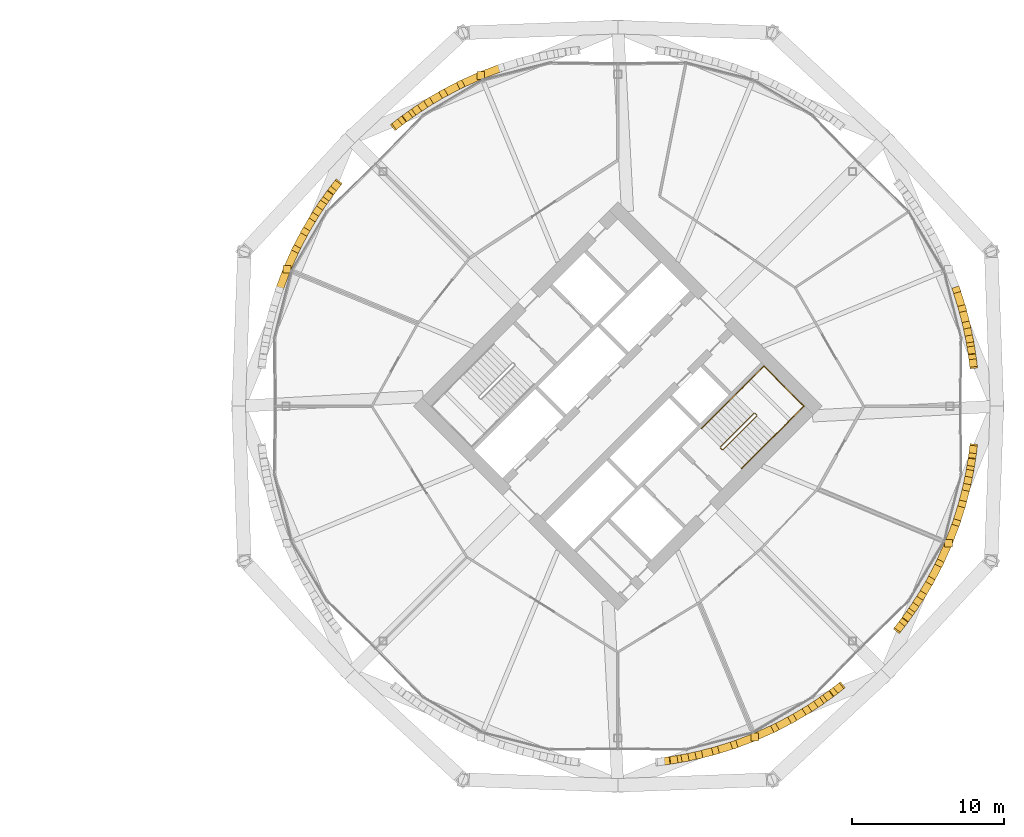
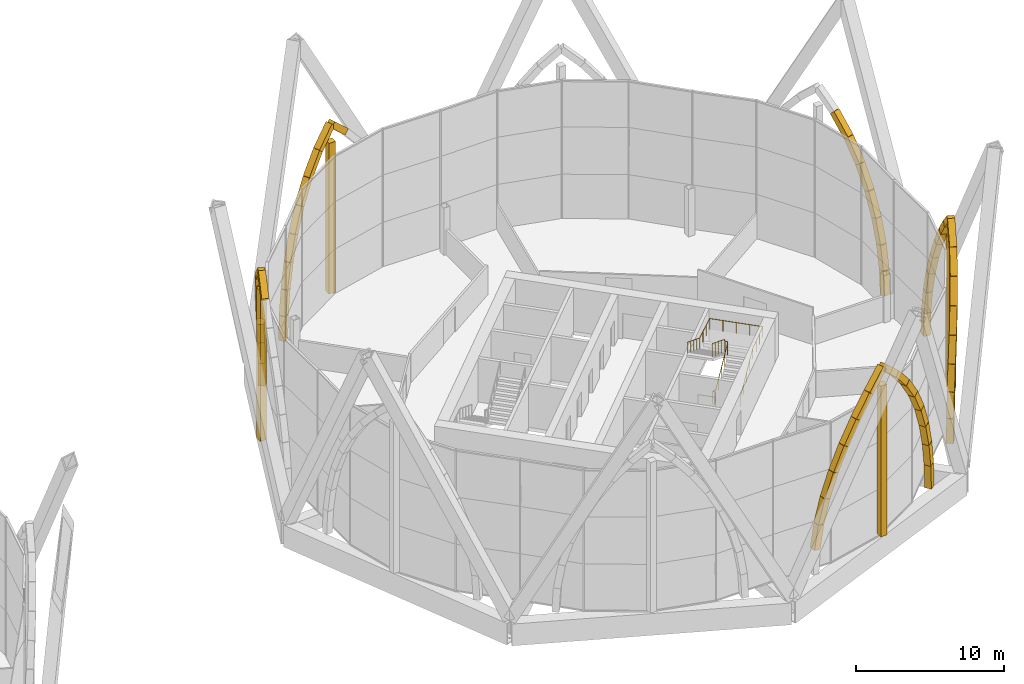
# One storey, part 36 of 37: 60 coverings, 2 railings.
"""IFC4 building model written with IfcOpenShell, lengths in metres."""

import ifcopenshell
import ifcopenshell.guid

model = None  # the IFC model being written
_history = None  # IfcOwnerHistory: only IFC2X3 demands one
_inside = {}  # id of a spatial element -> (the spatial element, [elements in it])
_under = {}  # id of a project, library or spatial element -> (it, [spatial elements below it])
_declared = {}  # id of a project -> (the project, [libraries it declares])
_typed = {}  # id of a type object -> (the type object, [elements of that type])
_made_of = {}  # id of a material, layer set ... -> (it, [elements and type objects made of it])


def new_model(schema):
    """Start an empty IFC model of exactly this schema.

    Asked for "IFC4X3", IfcOpenShell would pick the latest addendum, in which some entities
    have other attributes; the version numbers below select the first issue.
    IFC2X3 requires an IfcOwnerHistory on every rooted entity: one is made here for all.
    """
    global model, _history
    if schema == "IFC4X3":
        model = ifcopenshell.file(schema_version=(4, 3, 0, 0))
    else:
        model = ifcopenshell.file(schema=schema)
    _inside.clear()
    _under.clear()
    _declared.clear()
    _typed.clear()
    _made_of.clear()
    _history = None
    if model.schema == "IFC2X3":
        org = make("IfcOrganization", Name="unknown")
        user = make(
            "IfcPersonAndOrganization",
            ThePerson=make("IfcPerson", FamilyName="unknown"),
            TheOrganization=org,
        )
        app = make(
            "IfcApplication",
            ApplicationDeveloper=org,
            Version="unknown",
            ApplicationFullName="unknown",
            ApplicationIdentifier="unknown",
        )
        _history = make(
            "IfcOwnerHistory",
            OwningUser=user,
            OwningApplication=app,
            ChangeAction="ADDED",
            CreationDate=0,
        )
    return model


def make(cls, **values):
    """One entity of the class cls with the attributes given. An attribute that is None is left unset."""
    return model.create_entity(
        cls, **{name: value for name, value in values.items() if value is not None}
    )


def rooted(cls, **values):
    """An entity with a GlobalId (a new one), such as an element, a storey or a relation."""
    return make(cls, GlobalId=ifcopenshell.guid.new(), OwnerHistory=_history, **values)


def si_unit(unit_type, name, prefix=None):
    """IfcSIUnit, for example si_unit("LENGTHUNIT", "METRE", prefix="MILLI")."""
    return make("IfcSIUnit", UnitType=unit_type, Prefix=prefix, Name=name)


def assignment(units):
    """IfcUnitAssignment: the units of a project."""
    return None if units is None else make("IfcUnitAssignment", Units=units)


def point(xyz):
    """IfcCartesianPoint."""
    return None if xyz is None else make("IfcCartesianPoint", Coordinates=xyz)


def direction(xyz):
    """IfcDirection."""
    return None if xyz is None else make("IfcDirection", DirectionRatios=xyz)


def frame(location, z_axis=None, x_axis=None):
    """IfcAxis2Placement3D, a coordinate frame: its origin and axes. An axis left out is left unset."""
    return make(
        "IfcAxis2Placement3D",
        Location=point(location),
        Axis=direction(z_axis),
        RefDirection=direction(x_axis),
    )


def frame_2d(location, x_axis=None):
    """IfcAxis2Placement2D, a coordinate frame in the plane: its origin and x axis."""
    return make(
        "IfcAxis2Placement2D", Location=point(location), RefDirection=direction(x_axis)
    )


def origin():
    """The frame at (0, 0, 0) with its axes left unset."""
    return frame((0.0, 0.0, 0.0))


def origin_2d():
    """The frame at (0, 0) in the plane with its x axis left unset."""
    return frame_2d((0.0, 0.0))


def place(relative_to, where):
    """IfcLocalPlacement: puts the frame where relative to a parent placement (None: the world)."""
    return make(
        "IfcLocalPlacement", PlacementRelTo=relative_to, RelativePlacement=where
    )


def context(
    kind, dimensions, precision=None, world=None, true_north=None, identifier=None
):
    """IfcGeometricRepresentationContext, for example the 3D "Model" context."""
    return make(
        "IfcGeometricRepresentationContext",
        ContextIdentifier=identifier,
        ContextType=kind,
        CoordinateSpaceDimension=dimensions,
        Precision=precision,
        WorldCoordinateSystem=world,
        TrueNorth=true_north,
    )


def subcontext(parent, identifier, kind, view, scale=None):
    """IfcGeometricRepresentationSubContext, for example "Body" below "Model"."""
    return make(
        "IfcGeometricRepresentationSubContext",
        ContextIdentifier=identifier,
        ContextType=kind,
        ParentContext=parent,
        TargetScale=scale,
        TargetView=view,
    )


def project(units=None, contexts=None):
    """IfcProject with its units and contexts."""
    return rooted(
        "IfcProject",
        Name="project",
        RepresentationContexts=contexts,
        UnitsInContext=assignment(units),
    )


def spatial(cls, under=None, at=None, **own):
    """A site, building, storey or space (cls), placed at a placement, below another one or the project."""
    s = rooted(cls, ObjectPlacement=at, **own)
    if under is not None:
        _under.setdefault(under.id(), (under, []))[1].append(s)
    return s


def profile(cls, at=None, kind="AREA", **sizes):
    """A parametric profile (cls). Its sizes go by their IFC names, for example OverallWidth=200.0."""
    return make(cls, ProfileType=kind, Position=at, **sizes)


def rectangle(**sizes):
    """IfcRectangleProfileDef."""
    return profile("IfcRectangleProfileDef", **sizes)


def circle(**sizes):
    """IfcCircleProfileDef."""
    return profile("IfcCircleProfileDef", **sizes)


def extrude(swept, where, along, depth):
    """IfcExtrudedAreaSolid: the profile swept, set in the frame where, extruded along a direction by depth."""
    return make(
        "IfcExtrudedAreaSolid",
        SweptArea=swept,
        Position=where,
        ExtrudedDirection=direction(along),
        Depth=depth,
    )


def shape(context_of_items, identifier, shape_type, items):
    """IfcShapeRepresentation: the items that make up one representation, for example the "Body"."""
    return make(
        "IfcShapeRepresentation",
        ContextOfItems=context_of_items,
        RepresentationIdentifier=identifier,
        RepresentationType=shape_type,
        Items=items,
    )


def material(Name=None, Category=None):
    """IfcMaterial."""
    return make("IfcMaterial", Name=Name, Category=Category)


def material_profile(
    of_material, cross_section, Name=None, Category=None, Priority=None
):
    """IfcMaterialProfile: a cross section and its material."""
    return make(
        "IfcMaterialProfile",
        Name=Name,
        Material=of_material,
        Profile=cross_section,
        Priority=Priority,
        Category=Category,
    )


def profile_set(profiles, Name=None, composite=None):
    """IfcMaterialProfileSet."""
    return make(
        "IfcMaterialProfileSet",
        Name=Name,
        MaterialProfiles=profiles,
        CompositeProfile=composite,
    )


def made_of(thing, what):
    """Note that an element or type object is made of a material, layer set ...; save() writes the relation."""
    if what is not None:
        _made_of.setdefault(what.id(), (what, []))[1].append(thing)
    return thing


def type_object(cls, material=None, **own):
    """A type object (cls), such as IfcWallType, which elements share."""
    return made_of(rooted(cls, **own), material)


def element(
    cls,
    number,
    at=None,
    inside=None,
    cuts=None,
    type_object=None,
    material=None,
    context=None,
    identifier="Body",
    shape_type=None,
    held_by="IfcProductDefinitionShape",
    body=None,
    shapes=None,
    **own,
):
    """One element of the class cls, such as IfcWall. Its Tag is "e" and its number.

    at: its placement. inside: the storey or other place that contains it. cuts: it is an
    opening in that element (IfcRelVoidsElement). A single representation is given by context,
    identifier, shape_type and body (its items); several are given by shapes. held_by: the class
    of the entity that holds the representations. save() writes the other relations.
    """
    e = rooted(cls, Tag="e%d" % number, ObjectPlacement=at, **own)
    if body is not None:
        shapes = [shape(context, identifier, shape_type, body)]
    if shapes is not None:
        e.Representation = make(held_by, Representations=shapes)
    if inside is not None:
        _inside.setdefault(inside.id(), (inside, []))[1].append(e)
    if cuts is not None:
        rooted(
            "IfcRelVoidsElement", RelatingBuildingElement=cuts, RelatedOpeningElement=e
        )
    if type_object is not None:
        _typed.setdefault(type_object.id(), (type_object, []))[1].append(e)
    return made_of(e, material)


def aggregate(whole, parts):
    """IfcRelAggregates: a whole, such as a stair, and the parts it consists of."""
    return rooted("IfcRelAggregates", RelatingObject=whole, RelatedObjects=parts)


def save(model, path):
    """Write the relations noted so far, then the file.

    IfcRelAggregates (storeys below a building ...), IfcRelContainedInSpatialStructure (elements
    in a storey), IfcRelDefinesByType, IfcRelAssociatesMaterial and IfcRelDeclares: one each for
    every whole, place, type object, material and project.
    """
    for whole, parts in _under.values():
        aggregate(whole, parts)
    for where, things in _inside.values():
        rooted(
            "IfcRelContainedInSpatialStructure",
            RelatedElements=things,
            RelatingStructure=where,
        )
    for kind, things in _typed.values():
        rooted("IfcRelDefinesByType", RelatedObjects=things, RelatingType=kind)
    for what, things in _made_of.values():
        rooted("IfcRelAssociatesMaterial", RelatedObjects=things, RelatingMaterial=what)
    for by, libraries in _declared.values():
        rooted("IfcRelDeclares", RelatingContext=by, RelatedDefinitions=libraries)
    model.write(path)


model = new_model("IFC4")

# Units and contexts
model_context = context("Model", 3, precision=1e-05, world=origin(), true_north=direction((0.0, 1.0)))
body_context = subcontext(model_context, "Body", "Model", "MODEL_VIEW")
ifc_project = project(units=[si_unit("LENGTHUNIT", "METRE"), si_unit("AREAUNIT", "SQUARE_METRE"), si_unit("VOLUMEUNIT", "CUBIC_METRE"), si_unit("PLANEANGLEUNIT", "RADIAN"), si_unit("MASSUNIT", "GRAM", prefix="KILO")], contexts=[model_context])

# Site, building, storey
site_placement = place(None, origin())
site = spatial("IfcSite", under=ifc_project, at=site_placement, CompositionType="ELEMENT")
building_placement = place(site_placement, origin())
building = spatial("IfcBuilding", under=site, at=building_placement, Name="Ogive Gate Towers", CompositionType="ELEMENT")
storey_placement = place(building_placement, frame((0.0, 0.0, 32.39990234375)))
storey = spatial("IfcBuildingStorey", under=building, at=storey_placement, Name="L06", CompositionType="ELEMENT", Elevation=32.39990234375)

# Coverings
ifc_material_1 = material(Name="Cast stone", Category="masonry")
ifc_material_profile = material_profile(ifc_material_1, rectangle(XDim=0.5, YDim=0.5, at=origin_2d()), Name="500 x 500 cast stone")
ifc_profile_set = profile_set([ifc_material_profile], Name="Cast stone")
covering_type = type_object("IfcCoveringType", Name="Portal rib 500 x 500", PredefinedType="CLADDING", material=ifc_profile_set)
covering_1_placement = place(storey_placement, frame((59.362060546875, 2.73046875, 0.0), z_axis=(-0.006554413954, 0.054414002638, 0.998496948405), x_axis=(-0.992823353566, -0.11959008577, 0.0)))
element("IfcCovering", 1, at=covering_1_placement, inside=storey, type_object=covering_type, Name="Portal rib", PredefinedType="CLADDING", context=body_context, shape_type="SweptSolid", body=[
    extrude(rectangle(XDim=0.5, YDim=0.5, at=origin_2d()), origin(), (0.0, 0.0, 1.0), 1.97412109375),
])
covering_2_placement = place(storey_placement, frame((59.34912109375, 2.837890625, 1.97119140625), z_axis=(-0.020781093371, 0.162537837441, 0.98648345022), x_axis=(-0.991925551192, -0.126821531659, 0.0)))
element("IfcCovering", 2, at=covering_2_placement, inside=storey, type_object=covering_type, Name="Portal rib", PredefinedType="CLADDING", context=body_context, shape_type="SweptSolid", body=[
    extrude(rectangle(XDim=0.5, YDim=0.5, at=origin_2d()), origin(), (0.0, 0.0, 1.0), 1.9736328125),
])
covering_3_placement = place(storey_placement, frame((59.30810546875, 3.15869140625, 3.918212890625), z_axis=(-0.039572894123, 0.267982692392, 0.962610649551), x_axis=(-0.989271984598, -0.146085387666, 0.0)))
element("IfcCovering", 3, at=covering_3_placement, inside=storey, type_object=covering_type, Name="Portal rib", PredefinedType="CLADDING", context=body_context, shape_type="SweptSolid", body=[
    extrude(rectangle(XDim=0.5, YDim=0.5, at=origin_2d()), origin(), (0.0, 0.0, 1.0), 1.97412109375),
])
for number, where, z_axis, x_axis, name in (
    (4, (59.22998046875, 3.687744140625, 5.818603515625), (-0.064444008374, 0.368975963491, 0.927202085929), (-0.98508788793, -0.172051890584, 0.0), "Portal rib"),
    (5, (59.102783203125, 4.416015625, 7.648681640625), (-0.09820777756, 0.463703977422, 0.880530438855), (-0.978299886557, -0.2071939477, 0.0), "Portal rib"),
    (6, (58.908935546875, 5.331298828125, 9.38671875), (-0.141737011266, 0.549385518361, 0.823459878714), (-0.968294335016, -0.249812090934, 0.0), "Portal rib"),
):
    element("IfcCovering", number, at=place(storey_placement, frame(where, z_axis=z_axis, x_axis=x_axis)), inside=storey, type_object=covering_type, Name=name, PredefinedType="CLADDING", context=body_context, shape_type="SweptSolid", body=[
        extrude(rectangle(XDim=0.5, YDim=0.5, at=origin_2d()), origin(), (0.0, 0.0, 1.0), 1.973876953125),
    ])
covering_4_placement = place(storey_placement, frame((58.629150390625, 6.415771484375, 11.01220703125), z_axis=(-0.19568790465, 0.624296368375, 0.756280561966), x_axis=(-0.954220576265, -0.299103814474, 0.0)))
element("IfcCovering", 7, at=covering_4_placement, inside=storey, type_object=covering_type, Name="Portal rib", PredefinedType="CLADDING", context=body_context, shape_type="SweptSolid", body=[
    extrude(rectangle(XDim=0.5, YDim=0.5, at=origin_2d()), origin(), (0.0, 0.0, 1.0), 1.9736328125),
])
covering_5_placement = place(storey_placement, frame((21.411376953125, 18.4501953125, 0.0), z_axis=(0.043036604722, 0.033885142799, 0.99849869692), x_axis=(-0.61861891897, 0.785691181758, 0.0)))
element("IfcCovering", 8, at=covering_5_placement, inside=storey, type_object=covering_type, Name="Portal rib", PredefinedType="CLADDING", context=body_context, shape_type="SweptSolid", body=[
    extrude(rectangle(XDim=0.5, YDim=0.5, at=origin_2d()), origin(), (0.0, 0.0, 1.0), 1.97412109375),
])
covering_6_placement = place(storey_placement, frame((21.496337890625, 18.51708984375, 1.97119140625), z_axis=(0.129756467872, 0.100193268805, 0.98647076385), x_axis=(-0.611168297142, 0.791500671237, 0.0)))
element("IfcCovering", 9, at=covering_6_placement, inside=storey, type_object=covering_type, Name="Portal rib", PredefinedType="CLADDING", context=body_context, shape_type="SweptSolid", body=[
    extrude(rectangle(XDim=0.5, YDim=0.5, at=origin_2d()), origin(), (0.0, 0.0, 1.0), 1.9736328125),
])
covering_7_placement = place(storey_placement, frame((21.75244140625, 18.71484375, 3.918212890625), z_axis=(0.217289233117, 0.161513795362, 0.962651901301), x_axis=(-0.596559455946, 0.802568885219, 0.0)))
element("IfcCovering", 10, at=covering_7_placement, inside=storey, type_object=covering_type, Name="Portal rib", PredefinedType="CLADDING", context=body_context, shape_type="SweptSolid", body=[
    extrude(rectangle(XDim=0.5, YDim=0.5, at=origin_2d()), origin(), (0.0, 0.0, 1.0), 1.97412109375),
])
for number, where, z_axis, x_axis, name in (
    (11, (22.181396484375, 19.03369140625, 5.818603515625), (0.306618803595, 0.215338175498, 0.927153913574), (-0.574724506526, 0.818346956736, 0.0), "Portal rib"),
    (12, (22.78662109375, 19.458740234375, 7.648681640625), (0.397297750571, 0.258391967915, 0.880561234843), (-0.545208499274, 0.838300478539, 0.0), "Portal rib"),
    (13, (23.57080078125, 19.96875, 9.38671875), (0.488661436996, 0.288299116588, 0.82346440079), (-0.508134308768, 0.861277843819, 0.0), "Portal rib"),
):
    element("IfcCovering", number, at=place(storey_placement, frame(where, z_axis=z_axis, x_axis=x_axis)), inside=storey, type_object=covering_type, Name=name, PredefinedType="CLADDING", context=body_context, shape_type="SweptSolid", body=[
        extrude(rectangle(XDim=0.5, YDim=0.5, at=origin_2d()), origin(), (0.0, 0.0, 1.0), 1.973876953125),
    ])
covering_8_placement = place(storey_placement, frame((24.535400390625, 20.537841796875, 11.01220703125), z_axis=(0.57978541975, 0.303066839852, 0.75630639137), x_axis=(-0.463250834246, 0.886227208209, 0.0)))
element("IfcCovering", 14, at=covering_8_placement, inside=storey, type_object=covering_type, Name="Portal rib", PredefinedType="CLADDING", context=body_context, shape_type="SweptSolid", body=[
    extrude(rectangle(XDim=0.5, YDim=0.5, at=origin_2d()), origin(), (0.0, 0.0, 1.0), 1.9736328125),
])
for number, where, z_axis, x_axis, name in (
    (15, (25.6796875, 21.135986328125, 12.5048828125), (0.668283369737, 0.301302663091, 0.680157366312), (-0.411017027046, 0.911627667131, 0.0), "Portal rib"),
    (16, (28.35205078125, 22.242919921875, 12.5048828125), (-0.685599887448, -0.259496403368, 0.680157636853), (0.353987832928, -0.935250027607, 0.0), "Portal rib"),
):
    element("IfcCovering", number, at=place(storey_placement, frame(where, z_axis=z_axis, x_axis=x_axis)), inside=storey, type_object=covering_type, Name=name, PredefinedType="CLADDING", context=body_context, shape_type="SweptSolid", body=[
        extrude(rectangle(XDim=0.5, YDim=0.5, at=origin_2d()), origin(), (0.0, 0.0, 1.0), 1.973876953125),
    ])
covering_9_placement = place(storey_placement, frame((26.998779296875, 21.730712890625, 0.0), z_axis=(0.0, 0.0, 1.0), x_axis=(1.0, 0.0, 0.0)))
element("IfcCovering", 17, at=covering_9_placement, inside=storey, type_object=covering_type, Name="Portal mullion", PredefinedType="CLADDING", context=body_context, shape_type="SweptSolid", body=[
    extrude(rectangle(XDim=0.5, YDim=0.5, at=origin_2d()), origin(), (0.0, 0.0, 1.0), 12.447509765625),
])
covering_10_placement = place(storey_placement, frame((13.757080078125, 7.64794921875, 12.5048828125), z_axis=(0.259496403368, 0.685599887448, 0.680157636853), x_axis=(-0.935250027607, 0.353987832928, 0.0)))
element("IfcCovering", 18, at=covering_10_placement, inside=storey, type_object=covering_type, Name="Portal rib", PredefinedType="CLADDING", context=body_context, shape_type="SweptSolid", body=[
    extrude(rectangle(XDim=0.5, YDim=0.5, at=origin_2d()), origin(), (0.0, 0.0, 1.0), 1.973876953125),
])
covering_11_placement = place(storey_placement, frame((17.5498046875, 14.588623046875, 0.0), z_axis=(-0.033885142799, -0.043036604722, 0.99849869692), x_axis=(0.785691181758, -0.61861891897, 0.0)))
element("IfcCovering", 19, at=covering_11_placement, inside=storey, type_object=covering_type, Name="Portal rib", PredefinedType="CLADDING", context=body_context, shape_type="SweptSolid", body=[
    extrude(rectangle(XDim=0.5, YDim=0.5, at=origin_2d()), origin(), (0.0, 0.0, 1.0), 1.97412109375),
])
covering_12_placement = place(storey_placement, frame((17.48291015625, 14.503662109375, 1.97119140625), z_axis=(-0.100193268805, -0.129756467872, 0.98647076385), x_axis=(0.791500671237, -0.611168297142, 0.0)))
element("IfcCovering", 20, at=covering_12_placement, inside=storey, type_object=covering_type, Name="Portal rib", PredefinedType="CLADDING", context=body_context, shape_type="SweptSolid", body=[
    extrude(rectangle(XDim=0.5, YDim=0.5, at=origin_2d()), origin(), (0.0, 0.0, 1.0), 1.9736328125),
])
covering_13_placement = place(storey_placement, frame((17.28515625, 14.24755859375, 3.918212890625), z_axis=(-0.161513795362, -0.217289233117, 0.962651901301), x_axis=(0.802568885219, -0.596559455946, 0.0)))
element("IfcCovering", 21, at=covering_13_placement, inside=storey, type_object=covering_type, Name="Portal rib", PredefinedType="CLADDING", context=body_context, shape_type="SweptSolid", body=[
    extrude(rectangle(XDim=0.5, YDim=0.5, at=origin_2d()), origin(), (0.0, 0.0, 1.0), 1.97412109375),
])
for number, where, z_axis, x_axis, name in (
    (22, (16.96630859375, 13.818603515625, 5.818603515625), (-0.215338175498, -0.306618803595, 0.927153913574), (0.818346956736, -0.574724506526, 0.0), "Portal rib"),
    (23, (16.541259765625, 13.21337890625, 7.648681640625), (-0.258391967915, -0.397297750571, 0.880561234843), (0.838300478539, -0.545208499274, 0.0), "Portal rib"),
    (24, (16.03125, 12.42919921875, 9.38671875), (-0.288299116588, -0.488661436996, 0.82346440079), (0.861277843819, -0.508134308768, 0.0), "Portal rib"),
):
    element("IfcCovering", number, at=place(storey_placement, frame(where, z_axis=z_axis, x_axis=x_axis)), inside=storey, type_object=covering_type, Name=name, PredefinedType="CLADDING", context=body_context, shape_type="SweptSolid", body=[
        extrude(rectangle(XDim=0.5, YDim=0.5, at=origin_2d()), origin(), (0.0, 0.0, 1.0), 1.973876953125),
    ])
covering_14_placement = place(storey_placement, frame((15.462158203125, 11.464599609375, 11.01220703125), z_axis=(-0.303066839852, -0.57978541975, 0.75630639137), x_axis=(0.886227208209, -0.463250834246, 0.0)))
element("IfcCovering", 25, at=covering_14_placement, inside=storey, type_object=covering_type, Name="Portal rib", PredefinedType="CLADDING", context=body_context, shape_type="SweptSolid", body=[
    extrude(rectangle(XDim=0.5, YDim=0.5, at=origin_2d()), origin(), (0.0, 0.0, 1.0), 1.9736328125),
])
covering_15_placement = place(storey_placement, frame((14.864013671875, 10.3203125, 12.5048828125), z_axis=(-0.301302663091, -0.668283369737, 0.680157366312), x_axis=(0.911627667131, -0.411017027046, 0.0)))
element("IfcCovering", 26, at=covering_15_placement, inside=storey, type_object=covering_type, Name="Portal rib", PredefinedType="CLADDING", context=body_context, shape_type="SweptSolid", body=[
    extrude(rectangle(XDim=0.5, YDim=0.5, at=origin_2d()), origin(), (0.0, 0.0, 1.0), 1.973876953125),
])
covering_16_placement = place(storey_placement, frame((14.269287109375, 9.001220703125, 0.0), z_axis=(0.0, 0.0, 1.0), x_axis=(1.0, 0.0, 0.0)))
element("IfcCovering", 27, at=covering_16_placement, inside=storey, type_object=covering_type, Name="Portal mullion", PredefinedType="CLADDING", context=body_context, shape_type="SweptSolid", body=[
    extrude(rectangle(XDim=0.5, YDim=0.5, at=origin_2d()), origin(), (0.0, 0.0, 1.0), 12.447509765625),
])
covering_17_placement = place(storey_placement, frame((50.588623046875, -18.4501953125, 0.0), z_axis=(-0.043036604722, -0.033885142799, 0.99849869692), x_axis=(0.61861891897, -0.785691181758, 0.0)))
element("IfcCovering", 28, at=covering_17_placement, inside=storey, type_object=covering_type, Name="Portal rib", PredefinedType="CLADDING", context=body_context, shape_type="SweptSolid", body=[
    extrude(rectangle(XDim=0.5, YDim=0.5, at=origin_2d()), origin(), (0.0, 0.0, 1.0), 1.97412109375),
])
covering_18_placement = place(storey_placement, frame((50.503662109375, -18.51708984375, 1.97119140625), z_axis=(-0.129756467872, -0.100193268805, 0.98647076385), x_axis=(0.611168297142, -0.791500671237, 0.0)))
element("IfcCovering", 29, at=covering_18_placement, inside=storey, type_object=covering_type, Name="Portal rib", PredefinedType="CLADDING", context=body_context, shape_type="SweptSolid", body=[
    extrude(rectangle(XDim=0.5, YDim=0.5, at=origin_2d()), origin(), (0.0, 0.0, 1.0), 1.9736328125),
])
covering_19_placement = place(storey_placement, frame((50.24755859375, -18.71484375, 3.918212890625), z_axis=(-0.217289233117, -0.161513795362, 0.962651901301), x_axis=(0.596559455946, -0.802568885219, 0.0)))
element("IfcCovering", 30, at=covering_19_placement, inside=storey, type_object=covering_type, Name="Portal rib", PredefinedType="CLADDING", context=body_context, shape_type="SweptSolid", body=[
    extrude(rectangle(XDim=0.5, YDim=0.5, at=origin_2d()), origin(), (0.0, 0.0, 1.0), 1.97412109375),
])
for number, where, z_axis, x_axis, name in (
    (31, (49.818603515625, -19.03369140625, 5.818603515625), (-0.306618803595, -0.215338175498, 0.927153913574), (0.574724506526, -0.818346956736, 0.0), "Portal rib"),
    (32, (49.21337890625, -19.458740234375, 7.648681640625), (-0.397297750571, -0.258391967915, 0.880561234843), (0.545208499274, -0.838300478539, 0.0), "Portal rib"),
    (33, (48.42919921875, -19.96875, 9.38671875), (-0.488661436996, -0.288299116588, 0.82346440079), (0.508134308768, -0.861277843819, 0.0), "Portal rib"),
):
    element("IfcCovering", number, at=place(storey_placement, frame(where, z_axis=z_axis, x_axis=x_axis)), inside=storey, type_object=covering_type, Name=name, PredefinedType="CLADDING", context=body_context, shape_type="SweptSolid", body=[
        extrude(rectangle(XDim=0.5, YDim=0.5, at=origin_2d()), origin(), (0.0, 0.0, 1.0), 1.973876953125),
    ])
covering_20_placement = place(storey_placement, frame((47.464599609375, -20.537841796875, 11.01220703125), z_axis=(-0.57978541975, -0.303066839852, 0.75630639137), x_axis=(0.463250834246, -0.886227208209, 0.0)))
element("IfcCovering", 34, at=covering_20_placement, inside=storey, type_object=covering_type, Name="Portal rib", PredefinedType="CLADDING", context=body_context, shape_type="SweptSolid", body=[
    extrude(rectangle(XDim=0.5, YDim=0.5, at=origin_2d()), origin(), (0.0, 0.0, 1.0), 1.9736328125),
])
covering_21_placement = place(storey_placement, frame((46.3203125, -21.135986328125, 12.5048828125), z_axis=(-0.668283369737, -0.301302663091, 0.680157366312), x_axis=(0.411017027046, -0.911627667131, 0.0)))
element("IfcCovering", 35, at=covering_21_placement, inside=storey, type_object=covering_type, Name="Portal rib", PredefinedType="CLADDING", context=body_context, shape_type="SweptSolid", body=[
    extrude(rectangle(XDim=0.5, YDim=0.5, at=origin_2d()), origin(), (0.0, 0.0, 1.0), 1.973876953125),
])
covering_22_placement = place(storey_placement, frame((38.837890625, -23.34912109375, 1.97119140625), z_axis=(0.162537837441, 0.020781093371, 0.98648345022), x_axis=(-0.126821531659, 0.991925551192, 0.0)))
element("IfcCovering", 36, at=covering_22_placement, inside=storey, type_object=covering_type, Name="Portal rib", PredefinedType="CLADDING", context=body_context, shape_type="SweptSolid", body=[
    extrude(rectangle(XDim=0.5, YDim=0.5, at=origin_2d()), origin(), (0.0, 0.0, 1.0), 1.9736328125),
])
covering_23_placement = place(storey_placement, frame((39.15869140625, -23.30810546875, 3.918212890625), z_axis=(0.267982692392, 0.039572894123, 0.962610649551), x_axis=(-0.146085387666, 0.989271984598, 0.0)))
element("IfcCovering", 37, at=covering_23_placement, inside=storey, type_object=covering_type, Name="Portal rib", PredefinedType="CLADDING", context=body_context, shape_type="SweptSolid", body=[
    extrude(rectangle(XDim=0.5, YDim=0.5, at=origin_2d()), origin(), (0.0, 0.0, 1.0), 1.97412109375),
])
for number, where, z_axis, x_axis, name in (
    (38, (39.687744140625, -23.22998046875, 5.818603515625), (0.368975963491, 0.064444008374, 0.927202085929), (-0.172051890584, 0.98508788793, 0.0), "Portal rib"),
    (39, (40.416015625, -23.102783203125, 7.648681640625), (0.463703977422, 0.09820777756, 0.880530438855), (-0.2071939477, 0.978299886557, 0.0), "Portal rib"),
    (40, (41.331298828125, -22.908935546875, 9.38671875), (0.549385518361, 0.141737011266, 0.823459878714), (-0.249812090934, 0.968294335016, 0.0), "Portal rib"),
):
    element("IfcCovering", number, at=place(storey_placement, frame(where, z_axis=z_axis, x_axis=x_axis)), inside=storey, type_object=covering_type, Name=name, PredefinedType="CLADDING", context=body_context, shape_type="SweptSolid", body=[
        extrude(rectangle(XDim=0.5, YDim=0.5, at=origin_2d()), origin(), (0.0, 0.0, 1.0), 1.973876953125),
    ])
covering_24_placement = place(storey_placement, frame((42.415771484375, -22.629150390625, 11.01220703125), z_axis=(0.624296368375, 0.19568790465, 0.756280561966), x_axis=(-0.299103814474, 0.954220576265, 0.0)))
element("IfcCovering", 41, at=covering_24_placement, inside=storey, type_object=covering_type, Name="Portal rib", PredefinedType="CLADDING", context=body_context, shape_type="SweptSolid", body=[
    extrude(rectangle(XDim=0.5, YDim=0.5, at=origin_2d()), origin(), (0.0, 0.0, 1.0), 1.9736328125),
])
covering_25_placement = place(storey_placement, frame((43.64794921875, -22.242919921875, 12.5048828125), z_axis=(0.685599887448, 0.259496403368, 0.680157636853), x_axis=(-0.353987832928, 0.935250027607, 0.0)))
element("IfcCovering", 42, at=covering_25_placement, inside=storey, type_object=covering_type, Name="Portal rib", PredefinedType="CLADDING", context=body_context, shape_type="SweptSolid", body=[
    extrude(rectangle(XDim=0.5, YDim=0.5, at=origin_2d()), origin(), (0.0, 0.0, 1.0), 1.973876953125),
])
covering_26_placement = place(storey_placement, frame((45.001220703125, -21.730712890625, 0.0), z_axis=(0.0, 0.0, 1.0), x_axis=(1.0, 0.0, 0.0)))
element("IfcCovering", 43, at=covering_26_placement, inside=storey, type_object=covering_type, Name="Portal mullion", PredefinedType="CLADDING", context=body_context, shape_type="SweptSolid", body=[
    extrude(rectangle(XDim=0.5, YDim=0.5, at=origin_2d()), origin(), (0.0, 0.0, 1.0), 12.447509765625),
])
covering_27_placement = place(storey_placement, frame((59.362060546875, -2.73046875, 0.0), z_axis=(-0.006554413954, -0.054414002638, 0.998496948405), x_axis=(0.992823353566, -0.11959008577, 0.0)))
element("IfcCovering", 44, at=covering_27_placement, inside=storey, type_object=covering_type, Name="Portal rib", PredefinedType="CLADDING", context=body_context, shape_type="SweptSolid", body=[
    extrude(rectangle(XDim=0.5, YDim=0.5, at=origin_2d()), origin(), (0.0, 0.0, 1.0), 1.97412109375),
])
covering_28_placement = place(storey_placement, frame((59.34912109375, -2.837890625, 1.97119140625), z_axis=(-0.020781093371, -0.162537837441, 0.98648345022), x_axis=(0.991925551192, -0.126821531659, 0.0)))
element("IfcCovering", 45, at=covering_28_placement, inside=storey, type_object=covering_type, Name="Portal rib", PredefinedType="CLADDING", context=body_context, shape_type="SweptSolid", body=[
    extrude(rectangle(XDim=0.5, YDim=0.5, at=origin_2d()), origin(), (0.0, 0.0, 1.0), 1.9736328125),
])
covering_29_placement = place(storey_placement, frame((59.30810546875, -3.15869140625, 3.918212890625), z_axis=(-0.039572894123, -0.267982692392, 0.962610649551), x_axis=(0.989271984598, -0.146085387666, 0.0)))
element("IfcCovering", 46, at=covering_29_placement, inside=storey, type_object=covering_type, Name="Portal rib", PredefinedType="CLADDING", context=body_context, shape_type="SweptSolid", body=[
    extrude(rectangle(XDim=0.5, YDim=0.5, at=origin_2d()), origin(), (0.0, 0.0, 1.0), 1.97412109375),
])
for number, where, z_axis, x_axis, name in (
    (47, (59.22998046875, -3.687744140625, 5.818603515625), (-0.064444008374, -0.368975963491, 0.927202085929), (0.98508788793, -0.172051890584, 0.0), "Portal rib"),
    (48, (59.102783203125, -4.416015625, 7.648681640625), (-0.09820777756, -0.463703977422, 0.880530438855), (0.978299886557, -0.2071939477, 0.0), "Portal rib"),
    (49, (58.908935546875, -5.331298828125, 9.38671875), (-0.141737011266, -0.549385518361, 0.823459878714), (0.968294335016, -0.249812090934, 0.0), "Portal rib"),
):
    element("IfcCovering", number, at=place(storey_placement, frame(where, z_axis=z_axis, x_axis=x_axis)), inside=storey, type_object=covering_type, Name=name, PredefinedType="CLADDING", context=body_context, shape_type="SweptSolid", body=[
        extrude(rectangle(XDim=0.5, YDim=0.5, at=origin_2d()), origin(), (0.0, 0.0, 1.0), 1.973876953125),
    ])
covering_30_placement = place(storey_placement, frame((58.629150390625, -6.415771484375, 11.01220703125), z_axis=(-0.19568790465, -0.624296368375, 0.756280561966), x_axis=(0.954220576265, -0.299103814474, 0.0)))
element("IfcCovering", 50, at=covering_30_placement, inside=storey, type_object=covering_type, Name="Portal rib", PredefinedType="CLADDING", context=body_context, shape_type="SweptSolid", body=[
    extrude(rectangle(XDim=0.5, YDim=0.5, at=origin_2d()), origin(), (0.0, 0.0, 1.0), 1.9736328125),
])
covering_31_placement = place(storey_placement, frame((58.242919921875, -7.64794921875, 12.5048828125), z_axis=(-0.259496403368, -0.685599887448, 0.680157636853), x_axis=(0.935250027607, -0.353987832928, 0.0)))
element("IfcCovering", 51, at=covering_31_placement, inside=storey, type_object=covering_type, Name="Portal rib", PredefinedType="CLADDING", context=body_context, shape_type="SweptSolid", body=[
    extrude(rectangle(XDim=0.5, YDim=0.5, at=origin_2d()), origin(), (0.0, 0.0, 1.0), 1.973876953125),
])
covering_32_placement = place(storey_placement, frame((54.4501953125, -14.588623046875, 0.0), z_axis=(0.033885142799, 0.043036604722, 0.99849869692), x_axis=(-0.785691181758, 0.61861891897, 0.0)))
element("IfcCovering", 52, at=covering_32_placement, inside=storey, type_object=covering_type, Name="Portal rib", PredefinedType="CLADDING", context=body_context, shape_type="SweptSolid", body=[
    extrude(rectangle(XDim=0.5, YDim=0.5, at=origin_2d()), origin(), (0.0, 0.0, 1.0), 1.97412109375),
])
covering_33_placement = place(storey_placement, frame((54.51708984375, -14.503662109375, 1.97119140625), z_axis=(0.100193268805, 0.129756467872, 0.98647076385), x_axis=(-0.791500671237, 0.611168297142, 0.0)))
element("IfcCovering", 53, at=covering_33_placement, inside=storey, type_object=covering_type, Name="Portal rib", PredefinedType="CLADDING", context=body_context, shape_type="SweptSolid", body=[
    extrude(rectangle(XDim=0.5, YDim=0.5, at=origin_2d()), origin(), (0.0, 0.0, 1.0), 1.9736328125),
])
covering_34_placement = place(storey_placement, frame((54.71484375, -14.24755859375, 3.918212890625), z_axis=(0.161513795362, 0.217289233117, 0.962651901301), x_axis=(-0.802568885219, 0.596559455946, 0.0)))
element("IfcCovering", 54, at=covering_34_placement, inside=storey, type_object=covering_type, Name="Portal rib", PredefinedType="CLADDING", context=body_context, shape_type="SweptSolid", body=[
    extrude(rectangle(XDim=0.5, YDim=0.5, at=origin_2d()), origin(), (0.0, 0.0, 1.0), 1.97412109375),
])
for number, where, z_axis, x_axis, name in (
    (55, (55.03369140625, -13.818603515625, 5.818603515625), (0.215338175498, 0.306618803595, 0.927153913574), (-0.818346956736, 0.574724506526, 0.0), "Portal rib"),
    (56, (55.458740234375, -13.21337890625, 7.648681640625), (0.258391967915, 0.397297750571, 0.880561234843), (-0.838300478539, 0.545208499274, 0.0), "Portal rib"),
    (57, (55.96875, -12.42919921875, 9.38671875), (0.288299116588, 0.488661436996, 0.82346440079), (-0.861277843819, 0.508134308768, 0.0), "Portal rib"),
):
    element("IfcCovering", number, at=place(storey_placement, frame(where, z_axis=z_axis, x_axis=x_axis)), inside=storey, type_object=covering_type, Name=name, PredefinedType="CLADDING", context=body_context, shape_type="SweptSolid", body=[
        extrude(rectangle(XDim=0.5, YDim=0.5, at=origin_2d()), origin(), (0.0, 0.0, 1.0), 1.973876953125),
    ])
covering_35_placement = place(storey_placement, frame((56.537841796875, -11.464599609375, 11.01220703125), z_axis=(0.303066839852, 0.57978541975, 0.75630639137), x_axis=(-0.886227208209, 0.463250834246, 0.0)))
element("IfcCovering", 58, at=covering_35_placement, inside=storey, type_object=covering_type, Name="Portal rib", PredefinedType="CLADDING", context=body_context, shape_type="SweptSolid", body=[
    extrude(rectangle(XDim=0.5, YDim=0.5, at=origin_2d()), origin(), (0.0, 0.0, 1.0), 1.9736328125),
])
covering_36_placement = place(storey_placement, frame((57.135986328125, -10.3203125, 12.5048828125), z_axis=(0.301302663091, 0.668283369737, 0.680157366312), x_axis=(-0.911627667131, 0.411017027046, 0.0)))
element("IfcCovering", 59, at=covering_36_placement, inside=storey, type_object=covering_type, Name="Portal rib", PredefinedType="CLADDING", context=body_context, shape_type="SweptSolid", body=[
    extrude(rectangle(XDim=0.5, YDim=0.5, at=origin_2d()), origin(), (0.0, 0.0, 1.0), 1.973876953125),
])
covering_37_placement = place(storey_placement, frame((57.730712890625, -9.001220703125, 0.0), z_axis=(0.0, 0.0, 1.0), x_axis=(1.0, 0.0, 0.0)))
element("IfcCovering", 60, at=covering_37_placement, inside=storey, type_object=covering_type, Name="Portal mullion", PredefinedType="CLADDING", context=body_context, shape_type="SweptSolid", body=[
    extrude(rectangle(XDim=0.5, YDim=0.5, at=origin_2d()), origin(), (0.0, 0.0, 1.0), 12.447509765625),
])

# Railings
ifc_material_2 = material(Name="Stainless steel", Category="steel")
railing_type_1 = type_object("IfcRailingType", Name="Stair guard 1100", PredefinedType="GUARDRAIL", material=ifc_material_2)
railing_1_placement = place(storey_placement, frame((42.84130859375, -2.8603515625, 0.0)))
element("IfcRailing", 61, at=railing_1_placement, inside=storey, type_object=railing_type_1, Name="L06 ST2 stair guard 1", PredefinedType="GUARDRAIL", context=body_context, shape_type="SweptSolid", body=[
    extrude(circle(Radius=0.02392578125, at=origin_2d()), frame((0.0, 0.0, 1.076171875), z_axis=(-0.707106781187, 0.707106781187, 0.0), x_axis=(-0.707106781187, -0.707106781187, 0.0)), (0.0, 0.0, 1.0), 0.14501953125),
    extrude(circle(Radius=0.02392578125, at=origin_2d()), frame((-0.1025390625, 0.1025390625, 1.076171875), z_axis=(0.645182954318, -0.382195826253, 0.661562775443), x_axis=(0.509669330572, 0.860370369942, 0.0)), (0.0, 0.0, 1.0), 0.268310546875),
    extrude(circle(Radius=0.02392578125, at=origin_2d()), frame((0.070556640625, 0.0, 1.25341796875), z_axis=(0.61558473135, 0.61558473135, 0.49204763698), x_axis=(-0.707106781187, 0.707106781187, 0.0)), (0.0, 0.0, 1.0), 3.602783203125),
    extrude(circle(Radius=0.02392578125, at=origin_2d()), frame((2.288330078125, 2.2177734375, 3.0263671875), z_axis=(0.0, 1.0, 0.0), x_axis=(-1.0, 0.0, 0.0)), (0.0, 0.0, 1.0), 0.07080078125),
    extrude(circle(Radius=0.02392578125, at=origin_2d()), frame((2.288330078125, 2.28857421875, 3.0263671875), z_axis=(-0.707106781187, 0.707106781187, 0.0), x_axis=(-0.707106781187, -0.707106781187, 0.0)), (0.0, 0.0, 1.0), 0.14501953125),
    extrude(circle(Radius=0.02392578125, at=origin_2d()), frame((2.185791015625, 2.39111328125, 3.0263671875), z_axis=(-0.369845645421, 0.0, 0.929093213065), x_axis=(0.0, -1.0, 0.0)), (0.0, 0.0, 1.0), 0.190673828125),
    extrude(circle(Radius=0.02392578125, at=origin_2d()), frame((2.115234375, 2.39111328125, 3.20361328125), z_axis=(-0.61558473135, -0.61558473135, 0.49204763698), x_axis=(0.707106781187, -0.707106781187, 0.0)), (0.0, 0.0, 1.0), 3.602783203125),
    extrude(circle(Radius=0.02099609375, at=origin_2d()), origin(), (0.0, 0.0, 1.0), 1.052001953125),
    extrude(circle(Radius=0.02099609375, at=origin_2d()), frame((-0.1025390625, 0.1025390625, 0.0)), (0.0, 0.0, 1.0), 1.052001953125),
    extrude(circle(Radius=0.02099609375, at=origin_2d()), frame((0.070556640625, 0.0, 0.177490234375)), (0.0, 0.0, 1.0), 1.052001953125),
    extrude(circle(Radius=0.02099609375, at=origin_2d()), frame((0.625, 0.554443359375, 0.62060546875)), (0.0, 0.0, 1.0), 1.052001953125),
    extrude(circle(Radius=0.02099609375, at=origin_2d()), frame((1.179443359375, 1.10888671875, 1.06396484375)), (0.0, 0.0, 1.0), 1.052001953125),
    extrude(circle(Radius=0.02099609375, at=origin_2d()), frame((1.73388671875, 1.663330078125, 1.507080078125)), (0.0, 0.0, 1.0), 1.052001953125),
    extrude(circle(Radius=0.02099609375, at=origin_2d()), frame((2.288330078125, 2.2177734375, 1.9501953125)), (0.0, 0.0, 1.0), 1.052001953125),
    extrude(circle(Radius=0.02099609375, at=origin_2d()), frame((2.288330078125, 2.28857421875, 1.9501953125)), (0.0, 0.0, 1.0), 1.052001953125),
    extrude(circle(Radius=0.02099609375, at=origin_2d()), frame((2.185791015625, 2.39111328125, 1.9501953125)), (0.0, 0.0, 1.0), 1.052001953125),
    extrude(circle(Radius=0.02099609375, at=origin_2d()), frame((2.115234375, 2.39111328125, 2.12744140625)), (0.0, 0.0, 1.0), 1.052001953125),
    extrude(circle(Radius=0.02099609375, at=origin_2d()), frame((1.560791015625, 1.836669921875, 2.570556640625)), (0.0, 0.0, 1.0), 1.052001953125),
    extrude(circle(Radius=0.02099609375, at=origin_2d()), frame((1.00634765625, 1.2822265625, 3.013671875)), (0.0, 0.0, 1.0), 1.052001953125),
    extrude(circle(Radius=0.02099609375, at=origin_2d()), frame((0.451904296875, 0.727783203125, 3.45703125)), (0.0, 0.0, 1.0), 1.052001953125),
    extrude(circle(Radius=0.02099609375, at=origin_2d()), frame((-0.1025390625, 0.17333984375, 3.900146484375)), (0.0, 0.0, 1.0), 1.052001953125),
])
railing_type_2 = type_object("IfcRailingType", Name="Stair handrail 900", PredefinedType="HANDRAIL", material=ifc_material_2)
railing_2_placement = place(storey_placement, frame((44.142333984375, -4.090576171875, 0.177490234375)))
element("IfcRailing", 62, at=railing_2_placement, inside=storey, type_object=railing_type_2, Name="L06 ST2 stair handrail 1", PredefinedType="HANDRAIL", context=body_context, shape_type="SweptSolid", body=[
    extrude(circle(Radius=0.02392578125, at=origin_2d()), frame((0.0, 0.0, 0.8759765625), z_axis=(0.61558473135, 0.61558473135, 0.49204763698), x_axis=(-0.707106781187, 0.707106781187, 0.0)), (0.0, 0.0, 1.0), 3.602783203125),
    extrude(circle(Radius=0.02392578125, at=origin_2d()), frame((2.2177734375, 2.2177734375, 2.6484375), z_axis=(0.707106781187, 0.707106781187, 0.0), x_axis=(-0.707106781187, 0.707106781187, 0.0)), (0.0, 0.0, 1.0), 2.6484375),
    extrude(circle(Radius=0.02392578125, at=origin_2d()), frame((4.090576171875, 4.090576171875, 2.6484375), z_axis=(-0.707106781187, 0.707106781187, 0.0), x_axis=(-0.707106781187, -0.707106781187, 0.0)), (0.0, 0.0, 1.0), 3.72509765625),
    extrude(circle(Radius=0.02392578125, at=origin_2d()), frame((1.45654296875, 6.724609375, 2.6484375), z_axis=(-0.705482886452, -0.705574853978, 0.066768423356), x_axis=(0.70715286629, -0.70706069308, 0.0)), (0.0, 0.0, 1.0), 2.654541015625),
    extrude(circle(Radius=0.02392578125, at=origin_2d()), frame((-0.416259765625, 4.8515625, 2.82568359375), z_axis=(-0.615610411033, -0.615542642384, 0.4920681632), x_axis=(0.70706785752, -0.70714570271, 0.0)), (0.0, 0.0, 1.0), 3.6025390625),
    extrude(circle(Radius=0.02099609375, at=origin_2d()), origin(), (0.0, 0.0, 1.0), 0.851806640625),
    extrude(circle(Radius=0.02099609375, at=origin_2d()), frame((0.554443359375, 0.554443359375, 0.443115234375)), (0.0, 0.0, 1.0), 0.851806640625),
    extrude(circle(Radius=0.02099609375, at=origin_2d()), frame((1.10888671875, 1.10888671875, 0.88623046875)), (0.0, 0.0, 1.0), 0.851806640625),
    extrude(circle(Radius=0.02099609375, at=origin_2d()), frame((1.663330078125, 1.663330078125, 1.32958984375)), (0.0, 0.0, 1.0), 0.851806640625),
    extrude(circle(Radius=0.02099609375, at=origin_2d()), frame((2.2177734375, 2.2177734375, 1.772705078125)), (0.0, 0.0, 1.0), 0.851806640625),
    extrude(circle(Radius=0.02099609375, at=origin_2d()), frame((2.842041015625, 2.842041015625, 1.772705078125)), (0.0, 0.0, 1.0), 0.851806640625),
    extrude(circle(Radius=0.02099609375, at=origin_2d()), frame((3.46630859375, 3.46630859375, 1.772705078125)), (0.0, 0.0, 1.0), 0.851806640625),
    extrude(circle(Radius=0.02099609375, at=origin_2d()), frame((4.090576171875, 4.090576171875, 1.772705078125)), (0.0, 0.0, 1.0), 0.851806640625),
    extrude(circle(Radius=0.02099609375, at=origin_2d()), frame((3.43212890625, 4.7490234375, 1.772705078125)), (0.0, 0.0, 1.0), 0.851806640625),
    extrude(circle(Radius=0.02099609375, at=origin_2d()), frame((2.7734375, 5.40771484375, 1.772705078125)), (0.0, 0.0, 1.0), 0.851806640625),
    extrude(circle(Radius=0.02099609375, at=origin_2d()), frame((2.114990234375, 6.066162109375, 1.772705078125)), (0.0, 0.0, 1.0), 0.851806640625),
    extrude(circle(Radius=0.02099609375, at=origin_2d()), frame((1.45654296875, 6.724609375, 1.772705078125)), (0.0, 0.0, 1.0), 0.851806640625),
    extrude(circle(Radius=0.02099609375, at=origin_2d()), frame((0.832275390625, 6.100341796875, 1.831787109375)), (0.0, 0.0, 1.0), 0.851806640625),
    extrude(circle(Radius=0.02099609375, at=origin_2d()), frame((0.2080078125, 5.475830078125, 1.890869140625)), (0.0, 0.0, 1.0), 0.851806640625),
    extrude(circle(Radius=0.02099609375, at=origin_2d()), frame((-0.416259765625, 4.8515625, 1.949951171875)), (0.0, 0.0, 1.0), 0.851806640625),
    extrude(circle(Radius=0.02099609375, at=origin_2d()), frame((-0.970703125, 4.297119140625, 2.39306640625)), (0.0, 0.0, 1.0), 0.851806640625),
    extrude(circle(Radius=0.02099609375, at=origin_2d()), frame((-1.525146484375, 3.74267578125, 2.83642578125)), (0.0, 0.0, 1.0), 0.851806640625),
    extrude(circle(Radius=0.02099609375, at=origin_2d()), frame((-2.07958984375, 3.1884765625, 3.279541015625)), (0.0, 0.0, 1.0), 0.851806640625),
    extrude(circle(Radius=0.02099609375, at=origin_2d()), frame((-2.634033203125, 2.634033203125, 3.72265625)), (0.0, 0.0, 1.0), 0.851806640625),
])

save(model, "model.ifc")
